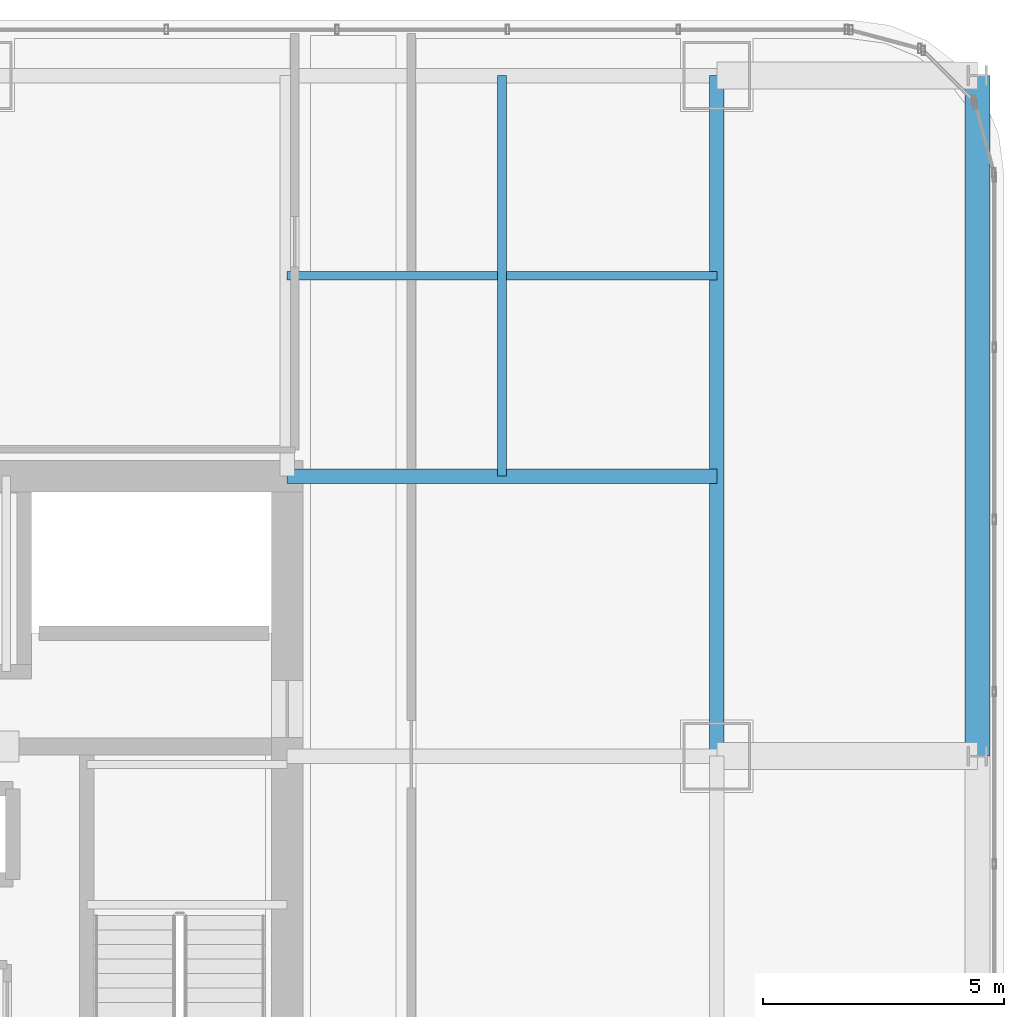
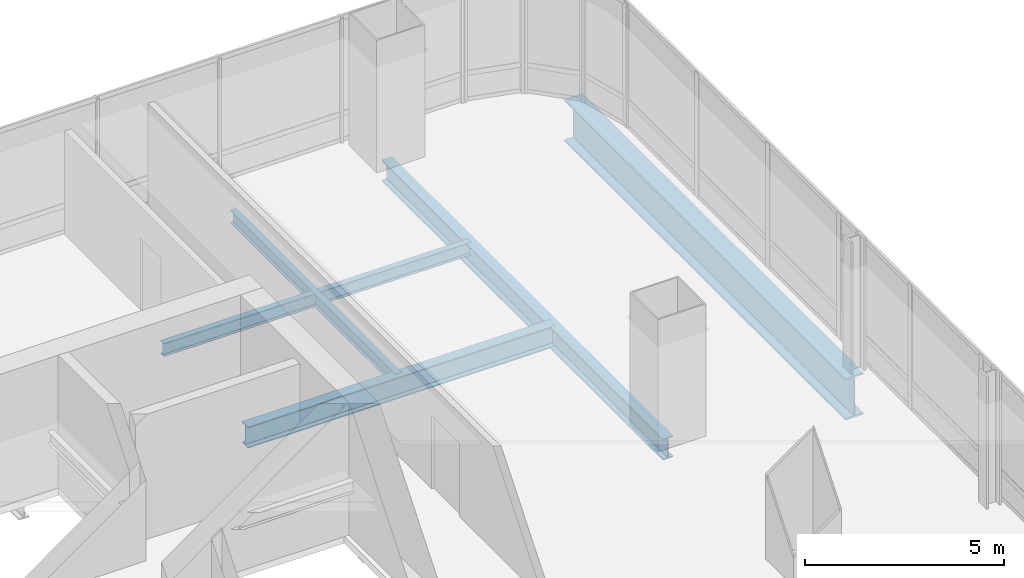
# One storey, part 25 of 36: 5 beams.
"""IFC4 building model written with IfcOpenShell, lengths in metres."""

from ifc_helpers import new_model, si_unit, direction, frame, origin, origin_2d, place, context, subcontext, project, spatial, i_section, extrude, material, material_profile, profile_set, type_object, element, save


model = new_model("IFC4")

# Units and contexts
model_context = context("Model", 3, precision=1e-05, world=origin(), true_north=direction((0.0, 1.0)))
body_context = subcontext(model_context, "Body", "Model", "MODEL_VIEW")
ifc_project = project(units=[si_unit("LENGTHUNIT", "METRE"), si_unit("AREAUNIT", "SQUARE_METRE"), si_unit("VOLUMEUNIT", "CUBIC_METRE"), si_unit("PLANEANGLEUNIT", "RADIAN"), si_unit("MASSUNIT", "GRAM", prefix="KILO")], contexts=[model_context])

# Site, building, storey
site_placement = place(None, origin())
site = spatial("IfcSite", under=ifc_project, at=site_placement, CompositionType="ELEMENT")
building_placement = place(site_placement, origin())
building = spatial("IfcBuilding", under=site, at=building_placement, Name="Punatoya Terracotta Tower", CompositionType="ELEMENT")
storey_placement = place(building_placement, frame((0.0, 0.0, 212.699951171875)))
storey = spatial("IfcBuildingStorey", under=building, at=storey_placement, Name="L50", CompositionType="ELEMENT", Elevation=212.699951171875)

# Beams
ifc_material_1 = material(Name="Steel S355", Category="steel")
ifc_material_profile_1 = material_profile(ifc_material_1, i_section(OverallWidth=0.300048828125, OverallDepth=0.64990234375, WebThickness=0.01611328125, FlangeThickness=0.031005859375, FilletRadius=0.01806640625, at=origin_2d()))
ifc_profile_set_1 = profile_set([ifc_material_profile_1], Name="Steel S355")
beam_type_1 = type_object("IfcBeamType", Name="BM-PRI-650", PredefinedType="BEAM", material=ifc_profile_set_1)
beam_1_placement = place(storey_placement, frame((19.10009765625, 3.39990234375, -0.544921875), z_axis=(0.0, 1.0, 0.0), x_axis=(-1.0, 0.0, 0.0)))
element("IfcBeam", 1, at=beam_1_placement, inside=storey, type_object=beam_type_1, Name="BM-L50-RG-E3", PredefinedType="BEAM", context=body_context, shape_type="SweptSolid", body=[
    extrude(i_section(OverallWidth=0.300048828125, OverallDepth=0.64990234375, WebThickness=0.01611328125, FlangeThickness=0.031005859375, FilletRadius=0.01806640625, at=origin_2d()), origin(), (0.0, 0.0, 1.0), 14.10009765625),
])
beam_2_placement = place(storey_placement, frame((10.199951171875, 9.199951171875, -0.544921875), z_axis=(1.0, 0.0, 0.0), x_axis=(0.0, 1.0, 0.0)))
element("IfcBeam", 2, at=beam_2_placement, inside=storey, type_object=beam_type_1, Name="BM-L50-PR-EN", PredefinedType="BEAM", context=body_context, shape_type="SweptSolid", body=[
    extrude(i_section(OverallWidth=0.300048828125, OverallDepth=0.64990234375, WebThickness=0.01611328125, FlangeThickness=0.031005859375, FilletRadius=0.01806640625, at=origin_2d()), origin(), (0.0, 0.0, 1.0), 8.900146484375),
])
ifc_material_profile_2 = material_profile(ifc_material_1, i_section(OverallWidth=0.179931640625, OverallDepth=0.39990234375, WebThickness=0.008544921875, FlangeThickness=0.013427734375, FilletRadius=0.01806640625, at=origin_2d()))
ifc_profile_set_2 = profile_set([ifc_material_profile_2], Name="Steel S355")
beam_type_2 = type_object("IfcBeamType", Name="BM-SEC-400", PredefinedType="JOIST", material=ifc_profile_set_2)
beam_3_placement = place(storey_placement, frame((10.199951171875, 13.35009765625, -0.419921875), z_axis=(1.0, 0.0, 0.0), x_axis=(0.0, 1.0, 0.0)))
element("IfcBeam", 3, at=beam_3_placement, inside=storey, type_object=beam_type_2, Name="BM-L50-SJN-2", PredefinedType="JOIST", context=body_context, shape_type="SweptSolid", body=[
    extrude(i_section(OverallWidth=0.179931640625, OverallDepth=0.39990234375, WebThickness=0.008544921875, FlangeThickness=0.013427734375, FilletRadius=0.01806640625, at=origin_2d()), origin(), (0.0, 0.0, 1.0), 8.900146484375),
])
beam_4_placement = place(storey_placement, frame((14.64990234375, 9.199951171875, -0.419921875), z_axis=(0.0, 1.0, 0.0), x_axis=(-1.0, 0.0, 0.0)))
element("IfcBeam", 4, at=beam_4_placement, inside=storey, type_object=beam_type_2, Name="BM-L50-SJE-2", PredefinedType="JOIST", context=body_context, shape_type="SweptSolid", body=[
    extrude(i_section(OverallWidth=0.179931640625, OverallDepth=0.39990234375, WebThickness=0.008544921875, FlangeThickness=0.013427734375, FilletRadius=0.01806640625, at=origin_2d()), origin(), (0.0, 0.0, 1.0), 8.300048828125),
])
ifc_material_2 = material(Name="Steel S460", Category="steel")
ifc_material_profile_3 = material_profile(ifc_material_2, i_section(OverallWidth=0.52001953125, OverallDepth=1.280029296875, WebThickness=0.031982421875, FlangeThickness=0.050048828125, FilletRadius=0.01806640625, at=origin_2d()))
ifc_profile_set_3 = profile_set([ifc_material_profile_3], Name="Steel S460")
beam_type_3 = type_object("IfcBeamType", Name="BM-TG-NCK", PredefinedType="BEAM", material=ifc_profile_set_3)
beam_5_placement = place(storey_placement, frame((24.5, 3.39990234375, -0.85986328125), z_axis=(0.0, 1.0, 0.0), x_axis=(-1.0, 0.0, 0.0)))
element("IfcBeam", 5, at=beam_5_placement, inside=storey, type_object=beam_type_3, Name="BM-L50-PER-E3", PredefinedType="BEAM", context=body_context, shape_type="SweptSolid", body=[
    extrude(i_section(OverallWidth=0.52001953125, OverallDepth=1.280029296875, WebThickness=0.031982421875, FlangeThickness=0.050048828125, FilletRadius=0.01806640625, at=origin_2d()), origin(), (0.0, 0.0, 1.0), 14.10009765625),
])

save(model, "model.ifc")
